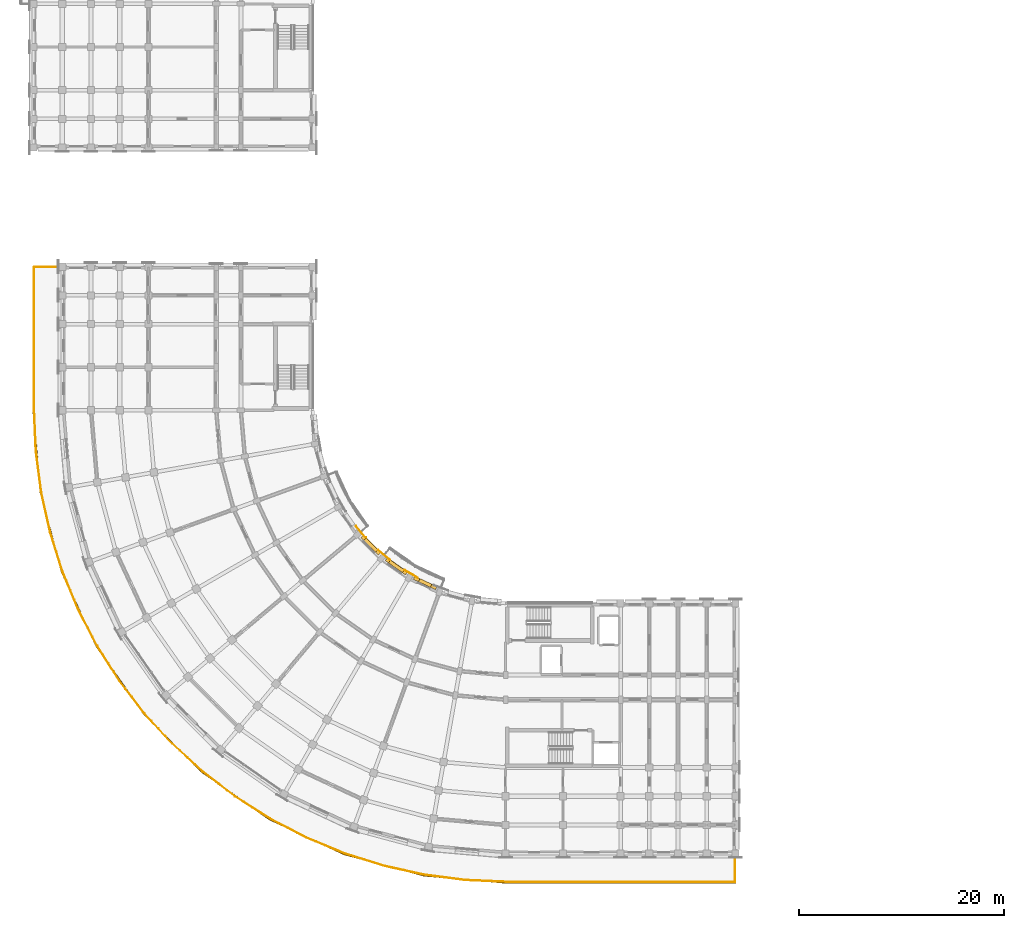
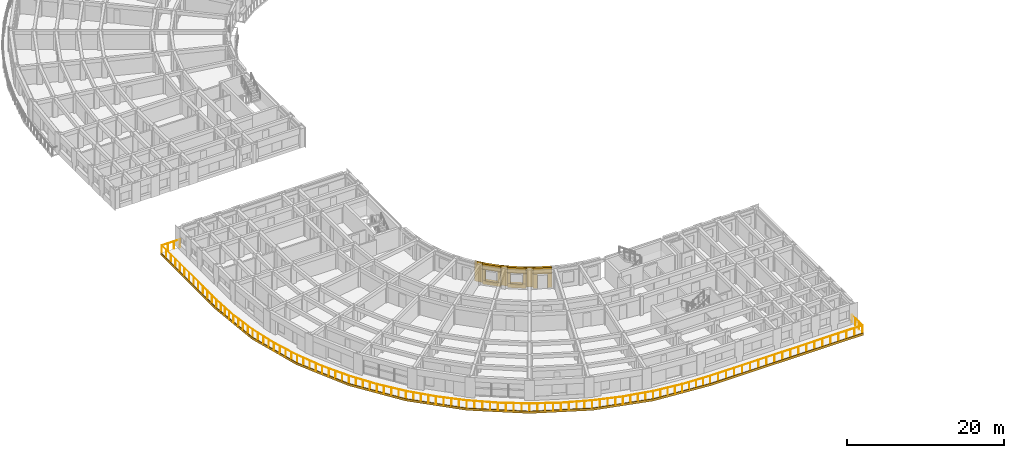
# One storey, part 41 of 57: 15 coverings, 1 railing.
"""IFC4 building model written with IfcOpenShell, lengths in metres."""

from ifc_helpers import new_model, si_unit, direction, frame, origin, origin_2d, place, context, subcontext, project, spatial, polyline, circle, outline, extrude, material, layer, layer_set, type_object, element, save


model = new_model("IFC4")

# Units and contexts
model_context = context("Model", 3, precision=1e-05, world=origin(), true_north=direction((0.0, 1.0)))
body_context = subcontext(model_context, "Body", "Model", "MODEL_VIEW")
ifc_project = project(units=[si_unit("LENGTHUNIT", "METRE"), si_unit("AREAUNIT", "SQUARE_METRE"), si_unit("VOLUMEUNIT", "CUBIC_METRE"), si_unit("PLANEANGLEUNIT", "RADIAN"), si_unit("MASSUNIT", "GRAM", prefix="KILO")], contexts=[model_context])

# Site, building, storey
site_placement = place(None, origin())
site = spatial("IfcSite", under=ifc_project, at=site_placement, CompositionType="ELEMENT")
building_placement = place(site_placement, origin())
building = spatial("IfcBuilding", under=site, at=building_placement, Name="Kiranvali Square Residences", CompositionType="ELEMENT")
storey_placement = place(building_placement, frame((0.0, 0.0, 21.300048828125)))
storey = spatial("IfcBuildingStorey", under=building, at=storey_placement, Name="L06", CompositionType="ELEMENT", Elevation=21.300048828125)

# Coverings
ifc_material_1 = material(Name="Carved Porbandar limestone classical entablature and cornice", Category="masonry")
ifc_layer_1 = layer(ifc_material_1, 0.449951171875)
ifc_layer_set_1 = layer_set([ifc_layer_1], Name="Carved Porbandar limestone classical entablature and cornice")
covering_type_1 = type_object("IfcCoveringType", Name="COV-CLAD-CORN", PredefinedType="CLADDING", material=ifc_layer_set_1)
covering_1_placement = place(storey_placement, frame((0.0, 0.0, -0.280029296875)))
element("IfcCovering", 1, at=covering_1_placement, inside=storey, type_object=covering_type_1, Name="Block C L06 stepped curved terrace stone cornice band", PredefinedType="CLADDING", context=body_context, shape_type="SweptSolid", body=[
    extrude(outline(polyline([(70.60009765625, 2.197998046875), (48.199951171875, 2.197998046875), (40.2119140625, 2.89697265625), (32.46630859375, 4.97216796875), (25.198974609375, 8.361083984375), (18.63037109375, 12.96044921875), (12.96044921875, 18.63037109375), (8.361083984375, 25.198974609375), (4.97216796875, 32.46630859375), (2.89697265625, 40.2119140625), (2.197998046875, 48.199951171875), (2.197998046875, 62.199951171875), (2.114990234375, 62.199951171875), (2.114990234375, 48.199951171875), (2.815185546875, 40.197509765625), (4.894287109375, 32.43798828125), (8.289306640625, 25.157470703125), (12.896728515625, 18.5771484375), (18.5771484375, 12.896728515625), (25.157470703125, 8.289306640625), (32.43798828125, 4.894287109375), (40.197509765625, 2.815185546875), (48.199951171875, 2.114990234375), (70.60009765625, 2.114990234375), (70.60009765625, 2.197998046875)])), origin(), (0.0, 0.0, 1.0), 0.35986328125),
])
ifc_material_2 = material(Name="Honed Porbandar limestone ashlar facade cladding", Category="masonry")
ifc_layer_2 = layer(ifc_material_2, 0.3798828125)
ifc_layer_set_2 = layer_set([ifc_layer_2], Name="Honed Porbandar limestone ashlar facade cladding")
covering_type_2 = type_object("IfcCoveringType", Name="COV-CLAD-JAMB", PredefinedType="CLADDING", material=ifc_layer_set_2)
covering_2_placement = place(storey_placement, origin())
element("IfcCovering", 2, at=covering_2_placement, inside=storey, type_object=covering_type_2, Name="L06 deep limestone window jamb reveal C-L06-GDN-02.L", PredefinedType="CLADDING", context=body_context, shape_type="SweptSolid", body=[
    extrude(outline(polyline([(41.514892578125, 31.02783203125), (41.017822265625, 31.259765625), (40.874267578125, 30.951904296875), (41.37158203125, 30.72021484375), (41.514892578125, 31.02783203125)])), origin(), (0.0, 0.0, 1.0), 2.179931640625),
])
covering_3_placement = place(storey_placement, origin())
element("IfcCovering", 3, at=covering_3_placement, inside=storey, type_object=covering_type_2, Name="L06 deep limestone window jamb reveal C-L06-GDN-02.R", PredefinedType="CLADDING", context=body_context, shape_type="SweptSolid", body=[
    extrude(outline(polyline([(39.839599609375, 31.80908203125), (39.342529296875, 32.041015625), (39.198974609375, 31.733154296875), (39.696044921875, 31.50146484375), (39.839599609375, 31.80908203125)])), origin(), (0.0, 0.0, 1.0), 2.179931640625),
])
covering_4_placement = place(storey_placement, frame((0.0, 0.0, 0.671875)))
element("IfcCovering", 4, at=covering_4_placement, inside=storey, type_object=covering_type_2, Name="L06 deep limestone window jamb reveal C-L06-GDN-03.L", PredefinedType="CLADDING", context=body_context, shape_type="SweptSolid", body=[
    extrude(outline(polyline([(38.634521484375, 32.44970703125), (38.32861328125, 32.663818359375), (38.1337890625, 32.3857421875), (38.43994140625, 32.171630859375), (38.634521484375, 32.44970703125)])), origin(), (0.0, 0.0, 1.0), 1.60009765625),
])
covering_5_placement = place(storey_placement, frame((0.0, 0.0, 0.671875)))
element("IfcCovering", 5, at=covering_5_placement, inside=storey, type_object=covering_type_2, Name="L06 deep limestone window jamb reveal C-L06-GDN-03.R", PredefinedType="CLADDING", context=body_context, shape_type="SweptSolid", body=[
    extrude(outline(polyline([(36.97705078125, 33.6103515625), (36.671142578125, 33.824462890625), (36.476318359375, 33.54638671875), (36.7822265625, 33.33203125), (36.97705078125, 33.6103515625)])), origin(), (0.0, 0.0, 1.0), 1.60009765625),
])
covering_6_placement = place(storey_placement, frame((0.0, 0.0, 0.6220703125)))
element("IfcCovering", 6, at=covering_6_placement, inside=storey, type_object=covering_type_2, Name="L06 deep limestone window jamb reveal C-L06-GDN-04.L", PredefinedType="CLADDING", context=body_context, shape_type="SweptSolid", body=[
    extrude(outline(polyline([(36.044921875, 34.349853515625), (35.76318359375, 34.631591796875), (35.52294921875, 34.3916015625), (35.804931640625, 34.10986328125), (36.044921875, 34.349853515625)])), origin(), (0.0, 0.0, 1.0), 1.64990234375),
])
covering_7_placement = place(storey_placement, frame((0.0, 0.0, 0.6220703125)))
element("IfcCovering", 7, at=covering_7_placement, inside=storey, type_object=covering_type_2, Name="L06 deep limestone window jamb reveal C-L06-GDN-04.R", PredefinedType="CLADDING", context=body_context, shape_type="SweptSolid", body=[
    extrude(outline(polyline([(34.631591796875, 35.76318359375), (34.349853515625, 36.044921875), (34.10986328125, 35.804931640625), (34.3916015625, 35.52294921875), (34.631591796875, 35.76318359375)])), origin(), (0.0, 0.0, 1.0), 1.64990234375),
])
ifc_layer_3 = layer(ifc_material_2, 0.050048828125)
ifc_layer_set_3 = layer_set([ifc_layer_3], Name="Honed Porbandar limestone ashlar facade cladding")
covering_type_3 = type_object("IfcCoveringType", Name="COV-CLAD-PIER-IN", PredefinedType="CLADDING", material=ifc_layer_set_3)
covering_8_placement = place(storey_placement, frame((0.0, 0.0, 0.0048828125)))
element("IfcCovering", 8, at=covering_8_placement, inside=storey, type_object=covering_type_3, Name="L06 Classical garden courtyard pilaster CLAD-PRIN-C-L06-A03", PredefinedType="CLADDING", context=body_context, shape_type="SweptSolid", body=[
    extrude(outline(polyline([(39.658447265625, 31.90576171875), (38.359375, 32.65576171875), (38.32568359375, 32.59716796875), (39.624755859375, 31.84716796875), (39.658447265625, 31.90576171875)])), origin(), (0.0, 0.0, 1.0), 3.14013671875),
])
covering_9_placement = place(storey_placement, frame((0.0, 0.0, 0.0048828125)))
element("IfcCovering", 9, at=covering_9_placement, inside=storey, type_object=covering_type_3, Name="L06 Classical garden courtyard pilaster CLAD-PRIN-C-L06-A04", PredefinedType="CLADDING", context=body_context, shape_type="SweptSolid", body=[
    extrude(outline(polyline([(36.958740234375, 33.636474609375), (35.809814453125, 34.6005859375), (35.766357421875, 34.548828125), (36.91552734375, 33.584716796875), (36.958740234375, 33.636474609375)])), origin(), (0.0, 0.0, 1.0), 3.14013671875),
])
covering_10_placement = place(storey_placement, frame((0.0, 0.0, 0.0048828125)))
element("IfcCovering", 10, at=covering_10_placement, inside=storey, type_object=covering_type_3, Name="L06 Classical garden courtyard pilaster CLAD-PRIN-C-L06-A05", PredefinedType="CLADDING", context=body_context, shape_type="SweptSolid", body=[
    extrude(outline(polyline([(34.6005859375, 35.809814453125), (33.636474609375, 36.958740234375), (33.584716796875, 36.91552734375), (34.548828125, 35.766357421875), (34.6005859375, 35.809814453125)])), origin(), (0.0, 0.0, 1.0), 3.14013671875),
])
ifc_layer_4 = layer(ifc_material_2, 0.360107421875)
ifc_layer_set_4 = layer_set([ifc_layer_4], Name="Honed Porbandar limestone ashlar facade cladding")
covering_type_4 = type_object("IfcCoveringType", Name="COV-CLAD-WALL", PredefinedType="CLADDING", material=ifc_layer_set_4)
covering_11_placement = place(storey_placement, frame((0.0, 0.0, 2.179931640625)))
element("IfcCovering", 11, at=covering_11_placement, inside=storey, type_object=covering_type_4, Name="L06 light limestone spandrel lintel C-L06-GDN-02", PredefinedType="CLADDING", context=body_context, shape_type="SweptSolid", body=[
    extrude(outline(polyline([(41.514892578125, 31.02783203125), (39.342529296875, 32.041015625), (39.198974609375, 31.733154296875), (41.37158203125, 30.72021484375), (41.514892578125, 31.02783203125)])), origin(), (0.0, 0.0, 1.0), 0.965087890625),
])
covering_12_placement = place(storey_placement, frame((0.0, 0.0, 2.27197265625)))
element("IfcCovering", 12, at=covering_12_placement, inside=storey, type_object=covering_type_4, Name="L06 light limestone spandrel lintel C-L06-GDN-03", PredefinedType="CLADDING", context=body_context, shape_type="SweptSolid", body=[
    extrude(outline(polyline([(38.634521484375, 32.44970703125), (36.671142578125, 33.824462890625), (36.476318359375, 33.54638671875), (38.43994140625, 32.171630859375), (38.634521484375, 32.44970703125)])), origin(), (0.0, 0.0, 1.0), 0.873046875),
])
covering_13_placement = place(storey_placement, frame((0.0, 0.0, 2.27197265625)))
element("IfcCovering", 13, at=covering_13_placement, inside=storey, type_object=covering_type_4, Name="L06 light limestone spandrel lintel C-L06-GDN-04", PredefinedType="CLADDING", context=body_context, shape_type="SweptSolid", body=[
    extrude(outline(polyline([(36.044921875, 34.349853515625), (34.349853515625, 36.044921875), (34.10986328125, 35.804931640625), (35.804931640625, 34.10986328125), (36.044921875, 34.349853515625)])), origin(), (0.0, 0.0, 1.0), 0.873046875),
])
ifc_layer_5 = layer(ifc_material_2, 0.2900390625)
ifc_layer_set_5 = layer_set([ifc_layer_5], Name="Honed Porbandar limestone ashlar facade cladding")
covering_type_5 = type_object("IfcCoveringType", Name="COV-CLAD-WALL-IN", PredefinedType="CLADDING", material=ifc_layer_set_5)
covering_14_placement = place(storey_placement, frame((0.0, 0.0, 0.0048828125)))
element("IfcCovering", 14, at=covering_14_placement, inside=storey, type_object=covering_type_5, Name="L06 limestone window sill apron C-L06-GDN-03", PredefinedType="CLADDING", context=body_context, shape_type="SweptSolid", body=[
    extrude(outline(polyline([(38.65185546875, 32.47412109375), (36.688232421875, 33.84912109375), (36.476318359375, 33.54638671875), (38.43994140625, 32.171630859375), (38.65185546875, 32.47412109375)])), origin(), (0.0, 0.0, 1.0), 0.6669921875),
])
covering_15_placement = place(storey_placement, frame((0.0, 0.0, 0.0048828125)))
element("IfcCovering", 15, at=covering_15_placement, inside=storey, type_object=covering_type_5, Name="L06 limestone window sill apron C-L06-GDN-04", PredefinedType="CLADDING", context=body_context, shape_type="SweptSolid", body=[
    extrude(outline(polyline([(36.066162109375, 34.37109375), (34.37109375, 36.066162109375), (34.10986328125, 35.804931640625), (35.804931640625, 34.10986328125), (36.066162109375, 34.37109375)])), origin(), (0.0, 0.0, 1.0), 0.6171875),
])

# Railing
ifc_material_3 = material(Name="Powder-coated architectural bronze balustrade", Category="steel")
railing_type = type_object("IfcRailingType", Name="RL-TER-GOLD-1200", PredefinedType="BALUSTRADE", material=ifc_material_3)
railing_placement = place(storey_placement, frame((70.550048828125, 4.9599609375, 0.0)))
element("IfcRailing", 16, at=railing_placement, inside=storey, type_object=railing_type, Name="Block C L06 stepped curved corner terrace gold balustrade", PredefinedType="BALUSTRADE", context=body_context, shape_type="SweptSolid", body=[
    extrude(circle(Radius=0.02392578125, at=origin_2d()), frame((0.0, 0.0, 1.17578125), z_axis=(0.0, -1.0, 0.0), x_axis=(1.0, 0.0, 0.0)), (0.0, 0.0, 1.0), 2.699951171875),
    extrude(circle(Radius=0.02392578125, at=origin_2d()), frame((0.0, -2.699951171875, 1.17578125), z_axis=(-1.0, 0.0, 0.0), x_axis=(0.0, -1.0, 0.0)), (0.0, 0.0, 1.0), 22.35009765625),
    extrude(circle(Radius=0.02392578125, at=origin_2d()), frame((-22.35009765625, -2.699951171875, 1.17578125), z_axis=(-0.999048326342, 0.043616987906, 0.0), x_axis=(-0.043616987906, -0.999048326342, 0.0)), (0.0, 0.0, 1.0), 4.0078125),
    extrude(circle(Radius=0.02392578125, at=origin_2d()), frame((-26.35400390625, -2.525146484375, 1.17578125), z_axis=(-0.991442057801, 0.130547485706, 0.0), x_axis=(-0.130547485706, -0.991442057801, 0.0)), (0.0, 0.0, 1.0), 4.007568359375),
    extrude(circle(Radius=0.02392578125, at=origin_2d()), frame((-30.327392578125, -2.001953125, 1.17578125), z_axis=(-0.976297298919, 0.216433786926, 0.0), x_axis=(-0.216433786926, -0.976297298919, 0.0)), (0.0, 0.0, 1.0), 4.0078125),
    extrude(circle(Radius=0.02392578125, at=origin_2d()), frame((-34.240234375, -1.134521484375, 1.17578125), z_axis=(-0.953722503351, 0.300688188333, 0.0), x_axis=(-0.300688188333, -0.953722503351, 0.0)), (0.0, 0.0, 1.0), 4.0078125),
    extrude(circle(Radius=0.02392578125, at=origin_2d()), frame((-38.0625, 0.070556640625, 1.17578125), z_axis=(-0.92387873318, 0.382685362115, 0.0), x_axis=(-0.382685362115, -0.92387873318, 0.0)), (0.0, 0.0, 1.0), 4.0078125),
    extrude(circle(Radius=0.02392578125, at=origin_2d()), frame((-41.76513671875, 1.604248046875, 1.17578125), z_axis=(-0.887010254912, 0.461749724073, 0.0), x_axis=(-0.461749724073, -0.887010254912, 0.0)), (0.0, 0.0, 1.0), 4.0078125),
    extrude(circle(Radius=0.02392578125, at=origin_2d()), frame((-45.320068359375, 3.454833984375, 1.17578125), z_axis=(-0.843398009102, 0.537289305907, 0.0), x_axis=(-0.537289305907, -0.843398009102, 0.0)), (0.0, 0.0, 1.0), 4.0078125),
    extrude(circle(Radius=0.02392578125, at=origin_2d()), frame((-48.7001953125, 5.608154296875, 1.17578125), z_axis=(-0.793350379413, 0.608765287681, 0.0), x_axis=(-0.608765287681, -0.793350379413, 0.0)), (0.0, 0.0, 1.0), 4.007568359375),
    extrude(circle(Radius=0.02392578125, at=origin_2d()), frame((-51.879638671875, 8.0478515625, 1.17578125), z_axis=(-0.737257802459, 0.675611525, 0.0), x_axis=(-0.675611525, -0.737257802459, 0.0)), (0.0, 0.0, 1.0), 4.0078125),
    extrude(circle(Radius=0.02392578125, at=origin_2d()), frame((-54.83447265625, 10.755615234375, 1.17578125), z_axis=(-0.675611525, 0.737257802459, 0.0), x_axis=(-0.737257802459, -0.675611525, 0.0)), (0.0, 0.0, 1.0), 4.0078125),
    extrude(circle(Radius=0.02392578125, at=origin_2d()), frame((-57.542236328125, 13.71044921875, 1.17578125), z_axis=(-0.608765287681, 0.793350379413, 0.0), x_axis=(-0.793350379413, -0.608765287681, 0.0)), (0.0, 0.0, 1.0), 4.007568359375),
    extrude(circle(Radius=0.02392578125, at=origin_2d()), frame((-59.98193359375, 16.889892578125, 1.17578125), z_axis=(-0.537289305907, 0.843398009102, 0.0), x_axis=(-0.843398009102, -0.537289305907, 0.0)), (0.0, 0.0, 1.0), 4.0078125),
    extrude(circle(Radius=0.02392578125, at=origin_2d()), frame((-62.13525390625, 20.27001953125, 1.17578125), z_axis=(-0.461749724073, 0.887010254912, 0.0), x_axis=(-0.887010254912, -0.461749724073, 0.0)), (0.0, 0.0, 1.0), 4.0078125),
    extrude(circle(Radius=0.02392578125, at=origin_2d()), frame((-63.98583984375, 23.824951171875, 1.17578125), z_axis=(-0.382685362115, 0.92387873318, 0.0), x_axis=(-0.92387873318, -0.382685362115, 0.0)), (0.0, 0.0, 1.0), 4.0078125),
    extrude(circle(Radius=0.02392578125, at=origin_2d()), frame((-65.51953125, 27.527587890625, 1.17578125), z_axis=(-0.300688188333, 0.953722503351, 0.0), x_axis=(-0.953722503351, -0.300688188333, 0.0)), (0.0, 0.0, 1.0), 4.0078125),
    extrude(circle(Radius=0.02392578125, at=origin_2d()), frame((-66.724609375, 31.349853515625, 1.17578125), z_axis=(-0.216433786926, 0.976297298919, 0.0), x_axis=(-0.976297298919, -0.216433786926, 0.0)), (0.0, 0.0, 1.0), 4.0078125),
    extrude(circle(Radius=0.02392578125, at=origin_2d()), frame((-67.592041015625, 35.2626953125, 1.17578125), z_axis=(-0.130547485706, 0.991442057801, 0.0), x_axis=(-0.991442057801, -0.130547485706, 0.0)), (0.0, 0.0, 1.0), 4.007568359375),
    extrude(circle(Radius=0.02392578125, at=origin_2d()), frame((-68.115234375, 39.236083984375, 1.17578125), z_axis=(-0.043616987906, 0.999048326342, 0.0), x_axis=(-0.999048326342, -0.043616987906, 0.0)), (0.0, 0.0, 1.0), 4.0078125),
    extrude(circle(Radius=0.02392578125, at=origin_2d()), frame((-68.2900390625, 43.239990234375, 1.17578125), z_axis=(0.0, 1.0, 0.0), x_axis=(-1.0, 0.0, 0.0)), (0.0, 0.0, 1.0), 13.949951171875),
    extrude(circle(Radius=0.02392578125, at=origin_2d()), frame((-68.2900390625, 57.18994140625, 1.17578125), z_axis=(1.0, 0.0, 0.0), x_axis=(0.0, 1.0, 0.0)), (0.0, 0.0, 1.0), 2.699951171875),
    extrude(circle(Radius=0.02099609375, at=origin_2d()), origin(), (0.0, 0.0, 1.0), 1.15185546875),
    extrude(circle(Radius=0.02099609375, at=origin_2d()), frame((0.0, -0.89990234375, 0.0)), (0.0, 0.0, 1.0), 1.15185546875),
    extrude(circle(Radius=0.02099609375, at=origin_2d()), frame((0.0, -1.800048828125, 0.0)), (0.0, 0.0, 1.0), 1.15185546875),
    extrude(circle(Radius=0.02099609375, at=origin_2d()), frame((0.0, -2.699951171875, 0.0)), (0.0, 0.0, 1.0), 1.15185546875),
    extrude(circle(Radius=0.02099609375, at=origin_2d()), frame((-1.17626953125, -2.699951171875, 0.0)), (0.0, 0.0, 1.0), 1.15185546875),
    extrude(circle(Radius=0.02099609375, at=origin_2d()), frame((-2.3525390625, -2.699951171875, 0.0)), (0.0, 0.0, 1.0), 1.15185546875),
    extrude(circle(Radius=0.02099609375, at=origin_2d()), frame((-3.529052734375, -2.699951171875, 0.0)), (0.0, 0.0, 1.0), 1.15185546875),
    extrude(circle(Radius=0.02099609375, at=origin_2d()), frame((-4.705322265625, -2.699951171875, 0.0)), (0.0, 0.0, 1.0), 1.15185546875),
    extrude(circle(Radius=0.02099609375, at=origin_2d()), frame((-5.881591796875, -2.699951171875, 0.0)), (0.0, 0.0, 1.0), 1.15185546875),
    extrude(circle(Radius=0.02099609375, at=origin_2d()), frame((-7.057861328125, -2.699951171875, 0.0)), (0.0, 0.0, 1.0), 1.15185546875),
    extrude(circle(Radius=0.02099609375, at=origin_2d()), frame((-8.234130859375, -2.699951171875, 0.0)), (0.0, 0.0, 1.0), 1.15185546875),
    extrude(circle(Radius=0.02099609375, at=origin_2d()), frame((-9.41064453125, -2.699951171875, 0.0)), (0.0, 0.0, 1.0), 1.15185546875),
    extrude(circle(Radius=0.02099609375, at=origin_2d()), frame((-10.5869140625, -2.699951171875, 0.0)), (0.0, 0.0, 1.0), 1.15185546875),
    extrude(circle(Radius=0.02099609375, at=origin_2d()), frame((-11.76318359375, -2.699951171875, 0.0)), (0.0, 0.0, 1.0), 1.15185546875),
    extrude(circle(Radius=0.02099609375, at=origin_2d()), frame((-12.939453125, -2.699951171875, 0.0)), (0.0, 0.0, 1.0), 1.15185546875),
    extrude(circle(Radius=0.02099609375, at=origin_2d()), frame((-14.115966796875, -2.699951171875, 0.0)), (0.0, 0.0, 1.0), 1.15185546875),
    extrude(circle(Radius=0.02099609375, at=origin_2d()), frame((-15.292236328125, -2.699951171875, 0.0)), (0.0, 0.0, 1.0), 1.15185546875),
    extrude(circle(Radius=0.02099609375, at=origin_2d()), frame((-16.468505859375, -2.699951171875, 0.0)), (0.0, 0.0, 1.0), 1.15185546875),
    extrude(circle(Radius=0.02099609375, at=origin_2d()), frame((-17.644775390625, -2.699951171875, 0.0)), (0.0, 0.0, 1.0), 1.15185546875),
    extrude(circle(Radius=0.02099609375, at=origin_2d()), frame((-18.821044921875, -2.699951171875, 0.0)), (0.0, 0.0, 1.0), 1.15185546875),
    extrude(circle(Radius=0.02099609375, at=origin_2d()), frame((-19.99755859375, -2.699951171875, 0.0)), (0.0, 0.0, 1.0), 1.15185546875),
    extrude(circle(Radius=0.02099609375, at=origin_2d()), frame((-21.173828125, -2.699951171875, 0.0)), (0.0, 0.0, 1.0), 1.15185546875),
    extrude(circle(Radius=0.02099609375, at=origin_2d()), frame((-22.35009765625, -2.699951171875, 0.0)), (0.0, 0.0, 1.0), 1.15185546875),
    extrude(circle(Radius=0.02099609375, at=origin_2d()), frame((-23.35107421875, -2.65625, 0.0)), (0.0, 0.0, 1.0), 1.15185546875),
    extrude(circle(Radius=0.02099609375, at=origin_2d()), frame((-24.35205078125, -2.612548828125, 0.0)), (0.0, 0.0, 1.0), 1.15185546875),
    extrude(circle(Radius=0.02099609375, at=origin_2d()), frame((-25.35302734375, -2.56884765625, 0.0)), (0.0, 0.0, 1.0), 1.15185546875),
    extrude(circle(Radius=0.02099609375, at=origin_2d()), frame((-26.35400390625, -2.525146484375, 0.0)), (0.0, 0.0, 1.0), 1.15185546875),
    extrude(circle(Radius=0.02099609375, at=origin_2d()), frame((-27.347412109375, -2.394287109375, 0.0)), (0.0, 0.0, 1.0), 1.15185546875),
    extrude(circle(Radius=0.02099609375, at=origin_2d()), frame((-28.3408203125, -2.263671875, 0.0)), (0.0, 0.0, 1.0), 1.15185546875),
    extrude(circle(Radius=0.02099609375, at=origin_2d()), frame((-29.333984375, -2.1328125, 0.0)), (0.0, 0.0, 1.0), 1.15185546875),
    extrude(circle(Radius=0.02099609375, at=origin_2d()), frame((-30.327392578125, -2.001953125, 0.0)), (0.0, 0.0, 1.0), 1.15185546875),
    extrude(circle(Radius=0.02099609375, at=origin_2d()), frame((-31.3056640625, -1.78515625, 0.0)), (0.0, 0.0, 1.0), 1.15185546875),
    extrude(circle(Radius=0.02099609375, at=origin_2d()), frame((-32.28369140625, -1.568359375, 0.0)), (0.0, 0.0, 1.0), 1.15185546875),
    extrude(circle(Radius=0.02099609375, at=origin_2d()), frame((-33.261962890625, -1.351318359375, 0.0)), (0.0, 0.0, 1.0), 1.15185546875),
    extrude(circle(Radius=0.02099609375, at=origin_2d()), frame((-34.240234375, -1.134521484375, 0.0)), (0.0, 0.0, 1.0), 1.15185546875),
    extrude(circle(Radius=0.02099609375, at=origin_2d()), frame((-35.19580078125, -0.833251953125, 0.0)), (0.0, 0.0, 1.0), 1.15185546875),
    extrude(circle(Radius=0.02099609375, at=origin_2d()), frame((-36.1513671875, -0.531982421875, 0.0)), (0.0, 0.0, 1.0), 1.15185546875),
    extrude(circle(Radius=0.02099609375, at=origin_2d()), frame((-37.10693359375, -0.230712890625, 0.0)), (0.0, 0.0, 1.0), 1.15185546875),
    extrude(circle(Radius=0.02099609375, at=origin_2d()), frame((-38.0625, 0.070556640625, 0.0)), (0.0, 0.0, 1.0), 1.15185546875),
    extrude(circle(Radius=0.02099609375, at=origin_2d()), frame((-38.98828125, 0.4541015625, 0.0)), (0.0, 0.0, 1.0), 1.15185546875),
    extrude(circle(Radius=0.02099609375, at=origin_2d()), frame((-39.913818359375, 0.83740234375, 0.0)), (0.0, 0.0, 1.0), 1.15185546875),
    extrude(circle(Radius=0.02099609375, at=origin_2d()), frame((-40.83935546875, 1.220703125, 0.0)), (0.0, 0.0, 1.0), 1.15185546875),
    extrude(circle(Radius=0.02099609375, at=origin_2d()), frame((-41.76513671875, 1.604248046875, 0.0)), (0.0, 0.0, 1.0), 1.15185546875),
    extrude(circle(Radius=0.02099609375, at=origin_2d()), frame((-42.65380859375, 2.06689453125, 0.0)), (0.0, 0.0, 1.0), 1.15185546875),
    extrude(circle(Radius=0.02099609375, at=origin_2d()), frame((-43.54248046875, 2.529541015625, 0.0)), (0.0, 0.0, 1.0), 1.15185546875),
    extrude(circle(Radius=0.02099609375, at=origin_2d()), frame((-44.431396484375, 2.9921875, 0.0)), (0.0, 0.0, 1.0), 1.15185546875),
    extrude(circle(Radius=0.02099609375, at=origin_2d()), frame((-45.320068359375, 3.454833984375, 0.0)), (0.0, 0.0, 1.0), 1.15185546875),
    extrude(circle(Radius=0.02099609375, at=origin_2d()), frame((-46.1650390625, 3.9931640625, 0.0)), (0.0, 0.0, 1.0), 1.15185546875),
    extrude(circle(Radius=0.02099609375, at=origin_2d()), frame((-47.01025390625, 4.531494140625, 0.0)), (0.0, 0.0, 1.0), 1.15185546875),
    extrude(circle(Radius=0.02099609375, at=origin_2d()), frame((-47.855224609375, 5.06982421875, 0.0)), (0.0, 0.0, 1.0), 1.15185546875),
    extrude(circle(Radius=0.02099609375, at=origin_2d()), frame((-48.7001953125, 5.608154296875, 0.0)), (0.0, 0.0, 1.0), 1.15185546875),
    extrude(circle(Radius=0.02099609375, at=origin_2d()), frame((-49.4951171875, 6.218017578125, 0.0)), (0.0, 0.0, 1.0), 1.15185546875),
    extrude(circle(Radius=0.02099609375, at=origin_2d()), frame((-50.2900390625, 6.828125, 0.0)), (0.0, 0.0, 1.0), 1.15185546875),
    extrude(circle(Radius=0.02099609375, at=origin_2d()), frame((-51.084716796875, 7.43798828125, 0.0)), (0.0, 0.0, 1.0), 1.15185546875),
    extrude(circle(Radius=0.02099609375, at=origin_2d()), frame((-51.879638671875, 8.0478515625, 0.0)), (0.0, 0.0, 1.0), 1.15185546875),
    extrude(circle(Radius=0.02099609375, at=origin_2d()), frame((-52.618408203125, 8.724853515625, 0.0)), (0.0, 0.0, 1.0), 1.15185546875),
    extrude(circle(Radius=0.02099609375, at=origin_2d()), frame((-53.35693359375, 9.40185546875, 0.0)), (0.0, 0.0, 1.0), 1.15185546875),
    extrude(circle(Radius=0.02099609375, at=origin_2d()), frame((-54.095703125, 10.07861328125, 0.0)), (0.0, 0.0, 1.0), 1.15185546875),
    extrude(circle(Radius=0.02099609375, at=origin_2d()), frame((-54.83447265625, 10.755615234375, 0.0)), (0.0, 0.0, 1.0), 1.15185546875),
    extrude(circle(Radius=0.02099609375, at=origin_2d()), frame((-55.511474609375, 11.494384765625, 0.0)), (0.0, 0.0, 1.0), 1.15185546875),
    extrude(circle(Radius=0.02099609375, at=origin_2d()), frame((-56.1884765625, 12.23291015625, 0.0)), (0.0, 0.0, 1.0), 1.15185546875),
    extrude(circle(Radius=0.02099609375, at=origin_2d()), frame((-56.865234375, 12.9716796875, 0.0)), (0.0, 0.0, 1.0), 1.15185546875),
    extrude(circle(Radius=0.02099609375, at=origin_2d()), frame((-57.542236328125, 13.71044921875, 0.0)), (0.0, 0.0, 1.0), 1.15185546875),
    extrude(circle(Radius=0.02099609375, at=origin_2d()), frame((-58.152099609375, 14.50537109375, 0.0)), (0.0, 0.0, 1.0), 1.15185546875),
    extrude(circle(Radius=0.02099609375, at=origin_2d()), frame((-58.76220703125, 15.30029296875, 0.0)), (0.0, 0.0, 1.0), 1.15185546875),
    extrude(circle(Radius=0.02099609375, at=origin_2d()), frame((-59.3720703125, 16.094970703125, 0.0)), (0.0, 0.0, 1.0), 1.15185546875),
    extrude(circle(Radius=0.02099609375, at=origin_2d()), frame((-59.98193359375, 16.889892578125, 0.0)), (0.0, 0.0, 1.0), 1.15185546875),
    extrude(circle(Radius=0.02099609375, at=origin_2d()), frame((-60.520263671875, 17.73486328125, 0.0)), (0.0, 0.0, 1.0), 1.15185546875),
    extrude(circle(Radius=0.02099609375, at=origin_2d()), frame((-61.05859375, 18.580078125, 0.0)), (0.0, 0.0, 1.0), 1.15185546875),
    extrude(circle(Radius=0.02099609375, at=origin_2d()), frame((-61.596923828125, 19.425048828125, 0.0)), (0.0, 0.0, 1.0), 1.15185546875),
    extrude(circle(Radius=0.02099609375, at=origin_2d()), frame((-62.13525390625, 20.27001953125, 0.0)), (0.0, 0.0, 1.0), 1.15185546875),
    extrude(circle(Radius=0.02099609375, at=origin_2d()), frame((-62.597900390625, 21.15869140625, 0.0)), (0.0, 0.0, 1.0), 1.15185546875),
    extrude(circle(Radius=0.02099609375, at=origin_2d()), frame((-63.060546875, 22.04736328125, 0.0)), (0.0, 0.0, 1.0), 1.15185546875),
    extrude(circle(Radius=0.02099609375, at=origin_2d()), frame((-63.523193359375, 22.936279296875, 0.0)), (0.0, 0.0, 1.0), 1.15185546875),
    extrude(circle(Radius=0.02099609375, at=origin_2d()), frame((-63.98583984375, 23.824951171875, 0.0)), (0.0, 0.0, 1.0), 1.15185546875),
    extrude(circle(Radius=0.02099609375, at=origin_2d()), frame((-64.369140625, 24.75048828125, 0.0)), (0.0, 0.0, 1.0), 1.15185546875),
    extrude(circle(Radius=0.02099609375, at=origin_2d()), frame((-64.752685546875, 25.67626953125, 0.0)), (0.0, 0.0, 1.0), 1.15185546875),
    extrude(circle(Radius=0.02099609375, at=origin_2d()), frame((-65.13623046875, 26.60205078125, 0.0)), (0.0, 0.0, 1.0), 1.15185546875),
    extrude(circle(Radius=0.02099609375, at=origin_2d()), frame((-65.51953125, 27.527587890625, 0.0)), (0.0, 0.0, 1.0), 1.15185546875),
    extrude(circle(Radius=0.02099609375, at=origin_2d()), frame((-65.82080078125, 28.483154296875, 0.0)), (0.0, 0.0, 1.0), 1.15185546875),
    extrude(circle(Radius=0.02099609375, at=origin_2d()), frame((-66.1220703125, 29.438720703125, 0.0)), (0.0, 0.0, 1.0), 1.15185546875),
    extrude(circle(Radius=0.02099609375, at=origin_2d()), frame((-66.42333984375, 30.394287109375, 0.0)), (0.0, 0.0, 1.0), 1.15185546875),
    extrude(circle(Radius=0.02099609375, at=origin_2d()), frame((-66.724609375, 31.349853515625, 0.0)), (0.0, 0.0, 1.0), 1.15185546875),
    extrude(circle(Radius=0.02099609375, at=origin_2d()), frame((-66.94140625, 32.328125, 0.0)), (0.0, 0.0, 1.0), 1.15185546875),
    extrude(circle(Radius=0.02099609375, at=origin_2d()), frame((-67.158203125, 33.30615234375, 0.0)), (0.0, 0.0, 1.0), 1.15185546875),
    extrude(circle(Radius=0.02099609375, at=origin_2d()), frame((-67.375244140625, 34.284423828125, 0.0)), (0.0, 0.0, 1.0), 1.15185546875),
    extrude(circle(Radius=0.02099609375, at=origin_2d()), frame((-67.592041015625, 35.2626953125, 0.0)), (0.0, 0.0, 1.0), 1.15185546875),
    extrude(circle(Radius=0.02099609375, at=origin_2d()), frame((-67.722900390625, 36.256103515625, 0.0)), (0.0, 0.0, 1.0), 1.15185546875),
    extrude(circle(Radius=0.02099609375, at=origin_2d()), frame((-67.853515625, 37.24951171875, 0.0)), (0.0, 0.0, 1.0), 1.15185546875),
    extrude(circle(Radius=0.02099609375, at=origin_2d()), frame((-67.984375, 38.24267578125, 0.0)), (0.0, 0.0, 1.0), 1.15185546875),
    extrude(circle(Radius=0.02099609375, at=origin_2d()), frame((-68.115234375, 39.236083984375, 0.0)), (0.0, 0.0, 1.0), 1.15185546875),
    extrude(circle(Radius=0.02099609375, at=origin_2d()), frame((-68.158935546875, 40.237060546875, 0.0)), (0.0, 0.0, 1.0), 1.15185546875),
    extrude(circle(Radius=0.02099609375, at=origin_2d()), frame((-68.20263671875, 41.238037109375, 0.0)), (0.0, 0.0, 1.0), 1.15185546875),
    extrude(circle(Radius=0.02099609375, at=origin_2d()), frame((-68.246337890625, 42.239013671875, 0.0)), (0.0, 0.0, 1.0), 1.15185546875),
    extrude(circle(Radius=0.02099609375, at=origin_2d()), frame((-68.2900390625, 43.239990234375, 0.0)), (0.0, 0.0, 1.0), 1.15185546875),
    extrude(circle(Radius=0.02099609375, at=origin_2d()), frame((-68.2900390625, 44.402587890625, 0.0)), (0.0, 0.0, 1.0), 1.15185546875),
    extrude(circle(Radius=0.02099609375, at=origin_2d()), frame((-68.2900390625, 45.56494140625, 0.0)), (0.0, 0.0, 1.0), 1.15185546875),
    extrude(circle(Radius=0.02099609375, at=origin_2d()), frame((-68.2900390625, 46.7275390625, 0.0)), (0.0, 0.0, 1.0), 1.15185546875),
    extrude(circle(Radius=0.02099609375, at=origin_2d()), frame((-68.2900390625, 47.889892578125, 0.0)), (0.0, 0.0, 1.0), 1.15185546875),
    extrude(circle(Radius=0.02099609375, at=origin_2d()), frame((-68.2900390625, 49.052490234375, 0.0)), (0.0, 0.0, 1.0), 1.15185546875),
    extrude(circle(Radius=0.02099609375, at=origin_2d()), frame((-68.2900390625, 50.21484375, 0.0)), (0.0, 0.0, 1.0), 1.15185546875),
    extrude(circle(Radius=0.02099609375, at=origin_2d()), frame((-68.2900390625, 51.37744140625, 0.0)), (0.0, 0.0, 1.0), 1.15185546875),
    extrude(circle(Radius=0.02099609375, at=origin_2d()), frame((-68.2900390625, 52.5400390625, 0.0)), (0.0, 0.0, 1.0), 1.15185546875),
    extrude(circle(Radius=0.02099609375, at=origin_2d()), frame((-68.2900390625, 53.702392578125, 0.0)), (0.0, 0.0, 1.0), 1.15185546875),
    extrude(circle(Radius=0.02099609375, at=origin_2d()), frame((-68.2900390625, 54.864990234375, 0.0)), (0.0, 0.0, 1.0), 1.15185546875),
    extrude(circle(Radius=0.02099609375, at=origin_2d()), frame((-68.2900390625, 56.02734375, 0.0)), (0.0, 0.0, 1.0), 1.15185546875),
    extrude(circle(Radius=0.02099609375, at=origin_2d()), frame((-68.2900390625, 57.18994140625, 0.0)), (0.0, 0.0, 1.0), 1.15185546875),
    extrude(circle(Radius=0.02099609375, at=origin_2d()), frame((-67.39013671875, 57.18994140625, 0.0)), (0.0, 0.0, 1.0), 1.15185546875),
    extrude(circle(Radius=0.02099609375, at=origin_2d()), frame((-66.489990234375, 57.18994140625, 0.0)), (0.0, 0.0, 1.0), 1.15185546875),
    extrude(circle(Radius=0.02099609375, at=origin_2d()), frame((-65.590087890625, 57.18994140625, 0.0)), (0.0, 0.0, 1.0), 1.15185546875),
])

save(model, "model.ifc")
